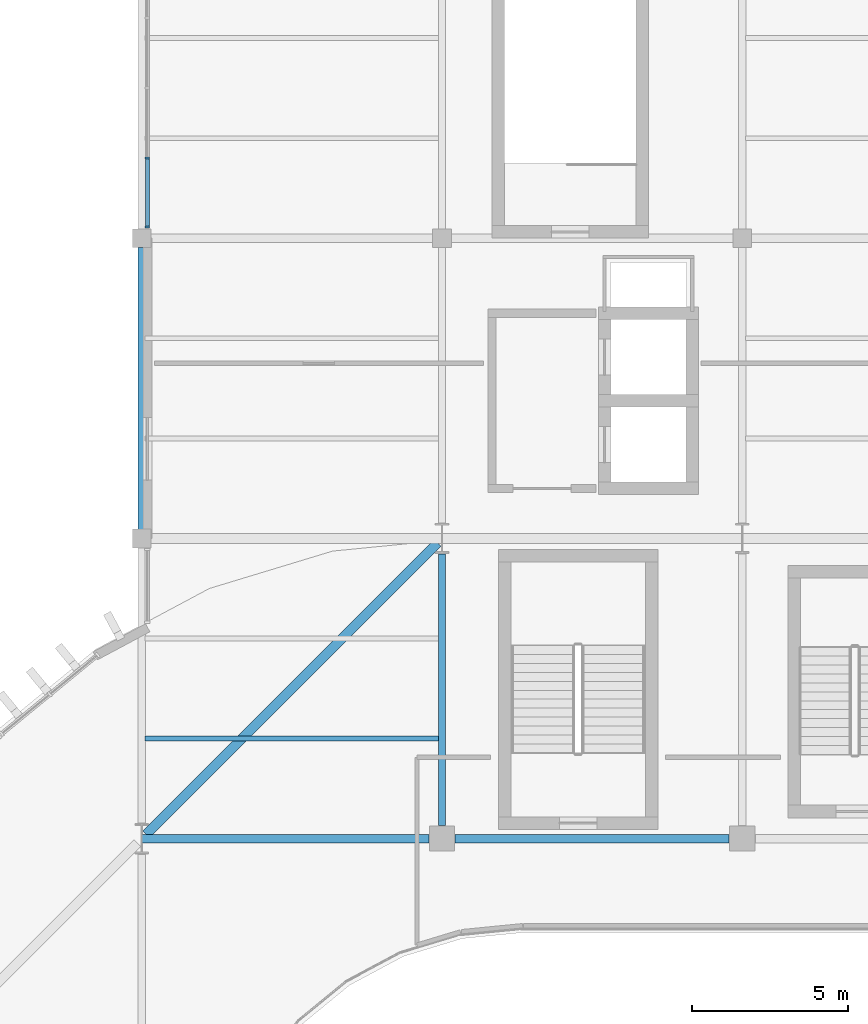
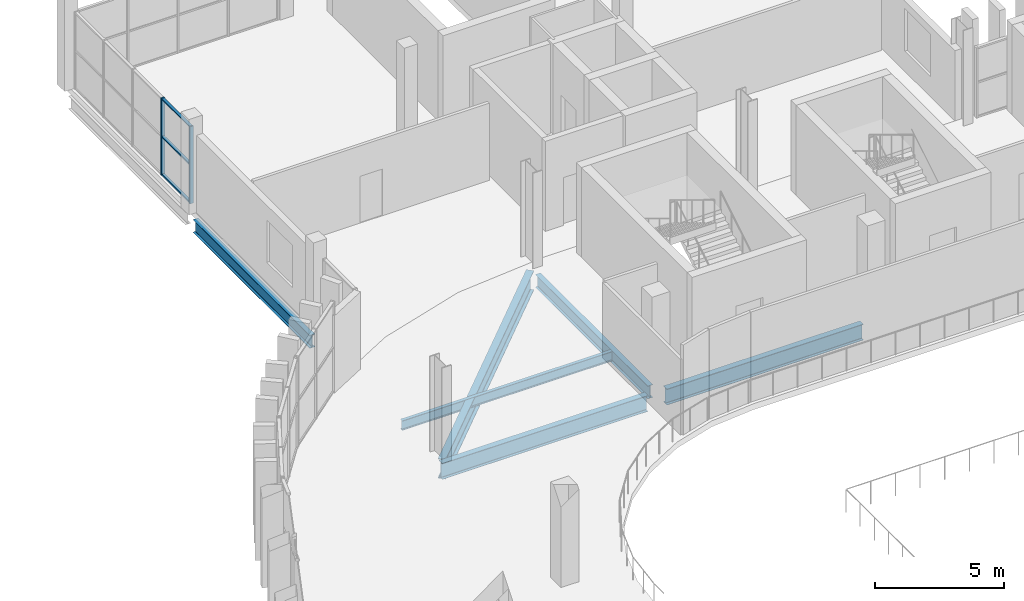
# One storey, part 13 of 75: 6 beams, 5 members, 1 element without a shape of its own.
"""IFC4 building model written with IfcOpenShell, lengths in metres."""

from ifc_helpers import new_model, si_unit, direction, frame, origin, origin_2d, place, context, subcontext, project, spatial, rectangle, i_section, extrude, material, layer, layer_set, material_profile, profile_set, type_object, element, aggregate, save


model = new_model("IFC4")

# Units and contexts
model_context = context("Model", 3, precision=1e-05, world=origin(), true_north=direction((0.0, 1.0)))
body_context = subcontext(model_context, "Body", "Model", "MODEL_VIEW")
ifc_project = project(units=[si_unit("LENGTHUNIT", "METRE"), si_unit("AREAUNIT", "SQUARE_METRE"), si_unit("VOLUMEUNIT", "CUBIC_METRE"), si_unit("PLANEANGLEUNIT", "RADIAN"), si_unit("MASSUNIT", "GRAM", prefix="KILO")], contexts=[model_context])

# Site, building, storey
site_placement = place(None, origin())
site = spatial("IfcSite", under=ifc_project, at=site_placement, CompositionType="ELEMENT")
building_placement = place(site_placement, origin())
building = spatial("IfcBuilding", under=site, at=building_placement, Name="Caelomonte Colonnade Arena", CompositionType="ELEMENT")
storey_placement = place(building_placement, frame((0.0, 0.0, 14.10009765625)))
storey = spatial("IfcBuildingStorey", under=building, at=storey_placement, Name="L03", CompositionType="ELEMENT", Elevation=14.10009765625)

# Curtain wall, members
ifc_material_1 = material(Name="Bronze anodised aluminium and low-E glazing", Category="aluminium")
ifc_layer = layer(ifc_material_1, 0.179931640625)
ifc_layer_set = layer_set([ifc_layer], Name="Bronze anodised aluminium and low-E glazing")
curtain_wall_type = type_object("IfcCurtainWallType", Name="ENV-CW-CW-L03-96-36", PredefinedType="USERDEFINED", material=ifc_layer_set)
curtain_wall_placement = place(storey_placement, origin())
curtain_wall = element("IfcCurtainWall", 1, at=curtain_wall_placement, inside=storey, type_object=curtain_wall_type, Name="L03 unitized curtain wall CW-L03-0674-1296", ObjectType="UNITIZED CURTAIN WALL", PredefinedType="USERDEFINED")
ifc_material_2 = material(Name="Bronze anodised aluminium AA6063-T6", Category="aluminium")
ifc_material_profile_1 = material_profile(ifc_material_2, rectangle(XDim=0.06494140625, YDim=0.14990234375, at=origin_2d()), Name="CWM-65X150")
ifc_profile_set_1 = profile_set([ifc_material_profile_1], Name="Bronze anodised aluminium AA6063-T6")
member_type_1 = type_object("IfcMemberType", Name="ENV-CW-MULL2", PredefinedType="MULLION", material=ifc_profile_set_1)
member_1_placement = place(storey_placement, frame((67.3798828125, 127.360107421875, 0.0), z_axis=(0.0, 0.0, 1.0), x_axis=(0.0, -1.0, 0.0)))
member_1 = element("IfcMember", 2, at=member_1_placement, type_object=member_type_1, Name="CW-L03-96-36 mullion 4", PredefinedType="MULLION", context=body_context, shape_type="SweptSolid", body=[
    extrude(rectangle(XDim=0.06494140625, YDim=0.14990234375, at=origin_2d()), origin(), (0.0, 0.0, 1.0), 3.637939453125),
])
member_2_placement = place(storey_placement, frame((67.3798828125, 125.152587890625, 0.0), z_axis=(0.0, 0.0, 1.0), x_axis=(0.0, -1.0, 0.0)))
member_2 = element("IfcMember", 3, at=member_2_placement, type_object=member_type_1, Name="CW-L03-96-36 mullion 5", PredefinedType="MULLION", context=body_context, shape_type="SweptSolid", body=[
    extrude(rectangle(XDim=0.06494140625, YDim=0.14990234375, at=origin_2d()), origin(), (0.0, 0.0, 1.0), 3.637939453125),
])
ifc_material_profile_2 = material_profile(ifc_material_2, rectangle(XDim=0.06494140625, YDim=0.1201171875, at=origin_2d()), Name="CWT-65X120")
ifc_profile_set_2 = profile_set([ifc_material_profile_2], Name="Bronze anodised aluminium AA6063-T6")
member_type_2 = type_object("IfcMemberType", Name="ENV-CW-TRAN2", PredefinedType="USERDEFINED", material=ifc_profile_set_2)
member_3_placement = place(storey_placement, frame((67.3798828125, 127.327392578125, 0.032470703125), z_axis=(0.0, -1.0, 0.0), x_axis=(0.0, 0.0, 1.0)))
member_3 = element("IfcMember", 4, at=member_3_placement, type_object=member_type_2, Name="CW-L03-96-36 transom 4.1", ObjectType="TRANSOM", PredefinedType="USERDEFINED", context=body_context, shape_type="SweptSolid", body=[
    extrude(rectangle(XDim=0.06494140625, YDim=0.1201171875, at=origin_2d()), origin(), (0.0, 0.0, 1.0), 2.142333984375),
])
member_4_placement = place(storey_placement, frame((67.3798828125, 127.327392578125, 1.81884765625), z_axis=(0.0, -1.0, 0.0), x_axis=(0.0, 0.0, 1.0)))
member_4 = element("IfcMember", 5, at=member_4_placement, type_object=member_type_2, Name="CW-L03-96-36 transom 4.2", ObjectType="TRANSOM", PredefinedType="USERDEFINED", context=body_context, shape_type="SweptSolid", body=[
    extrude(rectangle(XDim=0.06494140625, YDim=0.1201171875, at=origin_2d()), origin(), (0.0, 0.0, 1.0), 2.142333984375),
])
member_5_placement = place(storey_placement, frame((67.3798828125, 127.327392578125, 3.60546875), z_axis=(0.0, -1.0, 0.0), x_axis=(0.0, 0.0, 1.0)))
member_5 = element("IfcMember", 6, at=member_5_placement, type_object=member_type_2, Name="CW-L03-96-36 transom 4.3", ObjectType="TRANSOM", PredefinedType="USERDEFINED", context=body_context, shape_type="SweptSolid", body=[
    extrude(rectangle(XDim=0.06494140625, YDim=0.1201171875, at=origin_2d()), origin(), (0.0, 0.0, 1.0), 2.142333984375),
])
aggregate(curtain_wall, [member_1, member_2, member_3, member_4, member_5])

# Beams
ifc_material_3 = material(Name="Wide-flange steel ASTM A992 Grade 50", Category="steel")
ifc_material_profile_3 = material_profile(ifc_material_3, i_section(OverallWidth=0.307861328125, OverallDepth=0.927001953125, WebThickness=0.019287109375, FlangeThickness=0.031982421875, FilletRadius=0.020263671875, at=origin_2d()), Name="W36X194")
ifc_profile_set_3 = profile_set([ifc_material_profile_3], Name="Wide-flange steel ASTM A992 Grade 50")
beam_type_1 = type_object("IfcBeamType", Name="STR-BM-EAVES2", PredefinedType="SPANDREL", material=ifc_profile_set_3)
beam_1_placement = place(storey_placement, frame((76.657470703125, 115.0576171875, -0.74365234375), z_axis=(-0.707097514764, -0.707116047487, 0.0), x_axis=(0.707116047487, -0.707097514764, 0.0)))
element("IfcBeam", 7, at=beam_1_placement, inside=storey, type_object=beam_type_1, Name="L03 drum corner ring girder 7", PredefinedType="SPANDREL", context=body_context, shape_type="SweptSolid", body=[
    extrude(i_section(OverallWidth=0.307861328125, OverallDepth=0.927001953125, WebThickness=0.019287109375, FlangeThickness=0.031982421875, FilletRadius=0.020263671875, at=origin_2d()), origin(), (0.0, 0.0, 1.0), 13.173583984375),
])
ifc_material_profile_4 = material_profile(ifc_material_3, i_section(OverallWidth=0.228271484375, OverallDepth=0.607177734375, WebThickness=0.01123046875, FlangeThickness=0.017333984375, FilletRadius=0.0126953125, at=origin_2d()), Name="W24X76")
ifc_profile_set_4 = profile_set([ifc_material_profile_4], Name="Wide-flange steel ASTM A992 Grade 50")
beam_type_2 = type_object("IfcBeamType", Name="STR-BM-GIRD24", PredefinedType="BEAM", material=ifc_profile_set_4)
beam_2_placement = place(storey_placement, frame((67.199951171875, 115.491943359375, -0.58349609375), z_axis=(0.0, 1.0, 0.0), x_axis=(-1.0, 0.0, 0.0)))
element("IfcBeam", 8, at=beam_2_placement, inside=storey, type_object=beam_type_2, Name="L03 girder BMY-L03-0672-1152", PredefinedType="BEAM", context=body_context, shape_type="SweptSolid", body=[
    extrude(i_section(OverallWidth=0.228271484375, OverallDepth=0.607177734375, WebThickness=0.01123046875, FlangeThickness=0.017333984375, FilletRadius=0.0126953125, at=origin_2d()), origin(), (0.0, 0.0, 1.0), 9.01611328125),
])
beam_3_placement = place(storey_placement, frame((76.800048828125, 106.01708984375, -0.58349609375), z_axis=(0.0, 1.0, 0.0), x_axis=(-1.0, 0.0, 0.0)))
element("IfcBeam", 9, at=beam_3_placement, inside=storey, type_object=beam_type_2, Name="L03 girder BMY-L03-0768-1056", PredefinedType="BEAM", context=body_context, shape_type="SweptSolid", body=[
    extrude(i_section(OverallWidth=0.228271484375, OverallDepth=0.607177734375, WebThickness=0.01123046875, FlangeThickness=0.017333984375, FilletRadius=0.0126953125, at=origin_2d()), origin(), (0.0, 0.0, 1.0), 8.685546875),
])
ifc_material_profile_5 = material_profile(ifc_material_3, i_section(OverallWidth=0.265380859375, OverallDepth=0.75439453125, WebThickness=0.01318359375, FlangeThickness=0.01708984375, FilletRadius=0.0166015625, at=origin_2d()), Name="W30X99")
ifc_profile_set_5 = profile_set([ifc_material_profile_5], Name="Wide-flange steel ASTM A992 Grade 50")
beam_type_3 = type_object("IfcBeamType", Name="STR-BM-GIRD30B", PredefinedType="BEAM", material=ifc_profile_set_5)
beam_4_placement = place(storey_placement, frame((67.2119140625, 105.60009765625, -0.6572265625), z_axis=(1.0, 0.0, 0.0), x_axis=(0.0, 1.0, 0.0)))
element("IfcBeam", 10, at=beam_4_placement, inside=storey, type_object=beam_type_3, Name="L03 girder BMX-L03-0672-1056", PredefinedType="BEAM", context=body_context, shape_type="SweptSolid", body=[
    extrude(i_section(OverallWidth=0.265380859375, OverallDepth=0.75439453125, WebThickness=0.01318359375, FlangeThickness=0.01708984375, FilletRadius=0.0166015625, at=origin_2d()), origin(), (0.0, 0.0, 1.0), 9.171142578125),
])
beam_5_placement = place(storey_placement, frame((77.217041015625, 105.60009765625, -0.6572265625), z_axis=(1.0, 0.0, 0.0), x_axis=(0.0, 1.0, 0.0)))
element("IfcBeam", 11, at=beam_5_placement, inside=storey, type_object=beam_type_3, Name="L03 girder BMX-L03-0768-1056", PredefinedType="BEAM", context=body_context, shape_type="SweptSolid", body=[
    extrude(i_section(OverallWidth=0.265380859375, OverallDepth=0.75439453125, WebThickness=0.01318359375, FlangeThickness=0.01708984375, FilletRadius=0.0166015625, at=origin_2d()), origin(), (0.0, 0.0, 1.0), 8.765869140625),
])
ifc_material_profile_6 = material_profile(ifc_material_3, i_section(OverallWidth=0.15283203125, OverallDepth=0.45458984375, WebThickness=0.008056640625, FlangeThickness=0.01318359375, FilletRadius=0.01025390625, at=origin_2d()), Name="W18X40")
ifc_profile_set_6 = profile_set([ifc_material_profile_6], Name="Wide-flange steel ASTM A992 Grade 50")
beam_type_4 = type_object("IfcBeamType", Name="STR-BM-JOIST18B", PredefinedType="JOIST", material=ifc_profile_set_6)
beam_6_placement = place(storey_placement, frame((67.30908203125, 108.800048828125, -0.50732421875), z_axis=(1.0, 0.0, 0.0), x_axis=(0.0, 1.0, 0.0)))
element("IfcBeam", 12, at=beam_6_placement, inside=storey, type_object=beam_type_4, Name="L03 secondary joist 1", PredefinedType="JOIST", context=body_context, shape_type="SweptSolid", body=[
    extrude(i_section(OverallWidth=0.15283203125, OverallDepth=0.45458984375, WebThickness=0.008056640625, FlangeThickness=0.01318359375, FilletRadius=0.01025390625, at=origin_2d()), origin(), (0.0, 0.0, 1.0), 9.3818359375),
])

save(model, "model.ifc")
